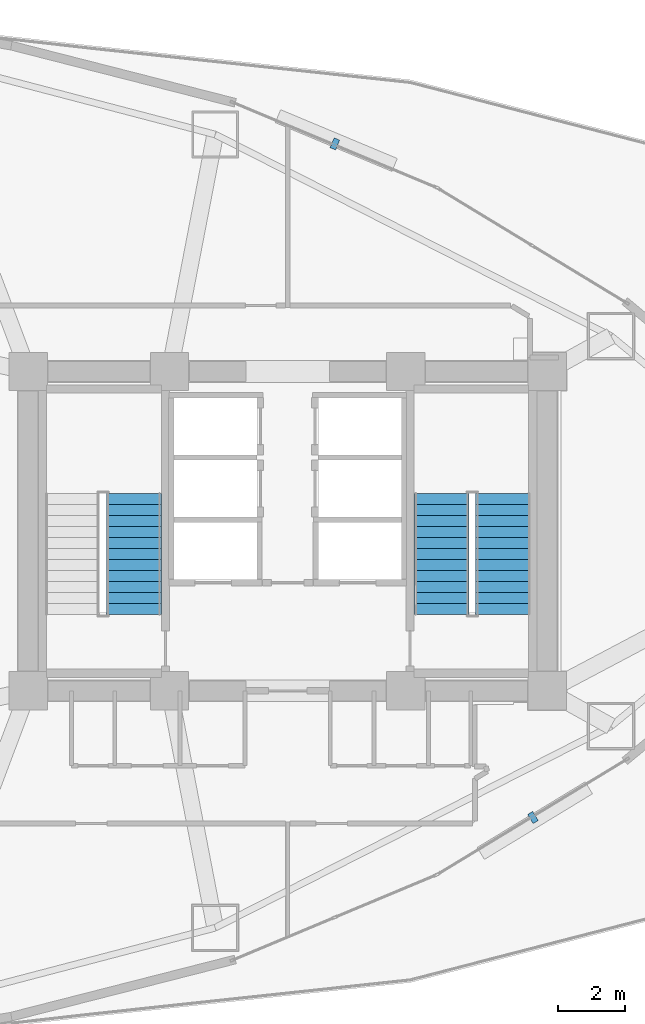
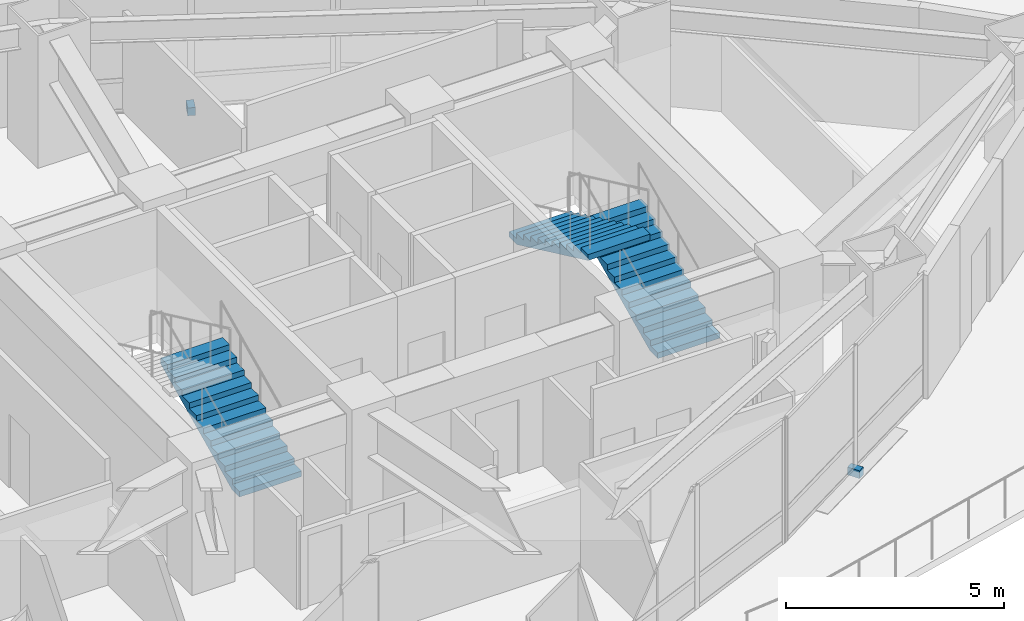
# One storey, part 16 of 19: 3 stair flights, 2 discrete accessories, 2 elements without a shape of their own.
"""IFC4 building model written with IfcOpenShell, lengths in metres."""

import ifcopenshell
import ifcopenshell.guid

model = None  # the IFC model being written
_history = None  # IfcOwnerHistory: only IFC2X3 demands one
_inside = {}  # id of a spatial element -> (the spatial element, [elements in it])
_under = {}  # id of a project, library or spatial element -> (it, [spatial elements below it])
_declared = {}  # id of a project -> (the project, [libraries it declares])
_typed = {}  # id of a type object -> (the type object, [elements of that type])
_made_of = {}  # id of a material, layer set ... -> (it, [elements and type objects made of it])


def new_model(schema):
    """Start an empty IFC model of exactly this schema.

    Asked for "IFC4X3", IfcOpenShell would pick the latest addendum, in which some entities
    have other attributes; the version numbers below select the first issue.
    IFC2X3 requires an IfcOwnerHistory on every rooted entity: one is made here for all.
    """
    global model, _history
    if schema == "IFC4X3":
        model = ifcopenshell.file(schema_version=(4, 3, 0, 0))
    else:
        model = ifcopenshell.file(schema=schema)
    _inside.clear()
    _under.clear()
    _declared.clear()
    _typed.clear()
    _made_of.clear()
    _history = None
    if model.schema == "IFC2X3":
        org = make("IfcOrganization", Name="unknown")
        user = make(
            "IfcPersonAndOrganization",
            ThePerson=make("IfcPerson", FamilyName="unknown"),
            TheOrganization=org,
        )
        app = make(
            "IfcApplication",
            ApplicationDeveloper=org,
            Version="unknown",
            ApplicationFullName="unknown",
            ApplicationIdentifier="unknown",
        )
        _history = make(
            "IfcOwnerHistory",
            OwningUser=user,
            OwningApplication=app,
            ChangeAction="ADDED",
            CreationDate=0,
        )
    return model


def make(cls, **values):
    """One entity of the class cls with the attributes given. An attribute that is None is left unset."""
    return model.create_entity(
        cls, **{name: value for name, value in values.items() if value is not None}
    )


def rooted(cls, **values):
    """An entity with a GlobalId (a new one), such as an element, a storey or a relation."""
    return make(cls, GlobalId=ifcopenshell.guid.new(), OwnerHistory=_history, **values)


def si_unit(unit_type, name, prefix=None):
    """IfcSIUnit, for example si_unit("LENGTHUNIT", "METRE", prefix="MILLI")."""
    return make("IfcSIUnit", UnitType=unit_type, Prefix=prefix, Name=name)


def assignment(units):
    """IfcUnitAssignment: the units of a project."""
    return None if units is None else make("IfcUnitAssignment", Units=units)


def point(xyz):
    """IfcCartesianPoint."""
    return None if xyz is None else make("IfcCartesianPoint", Coordinates=xyz)


def direction(xyz):
    """IfcDirection."""
    return None if xyz is None else make("IfcDirection", DirectionRatios=xyz)


def frame(location, z_axis=None, x_axis=None):
    """IfcAxis2Placement3D, a coordinate frame: its origin and axes. An axis left out is left unset."""
    return make(
        "IfcAxis2Placement3D",
        Location=point(location),
        Axis=direction(z_axis),
        RefDirection=direction(x_axis),
    )


def frame_2d(location, x_axis=None):
    """IfcAxis2Placement2D, a coordinate frame in the plane: its origin and x axis."""
    return make(
        "IfcAxis2Placement2D", Location=point(location), RefDirection=direction(x_axis)
    )


def origin():
    """The frame at (0, 0, 0) with its axes left unset."""
    return frame((0.0, 0.0, 0.0))


def origin_2d():
    """The frame at (0, 0) in the plane with its x axis left unset."""
    return frame_2d((0.0, 0.0))


def place(relative_to, where):
    """IfcLocalPlacement: puts the frame where relative to a parent placement (None: the world)."""
    return make(
        "IfcLocalPlacement", PlacementRelTo=relative_to, RelativePlacement=where
    )


def context(
    kind, dimensions, precision=None, world=None, true_north=None, identifier=None
):
    """IfcGeometricRepresentationContext, for example the 3D "Model" context."""
    return make(
        "IfcGeometricRepresentationContext",
        ContextIdentifier=identifier,
        ContextType=kind,
        CoordinateSpaceDimension=dimensions,
        Precision=precision,
        WorldCoordinateSystem=world,
        TrueNorth=true_north,
    )


def subcontext(parent, identifier, kind, view, scale=None):
    """IfcGeometricRepresentationSubContext, for example "Body" below "Model"."""
    return make(
        "IfcGeometricRepresentationSubContext",
        ContextIdentifier=identifier,
        ContextType=kind,
        ParentContext=parent,
        TargetScale=scale,
        TargetView=view,
    )


def project(units=None, contexts=None):
    """IfcProject with its units and contexts."""
    return rooted(
        "IfcProject",
        Name="project",
        RepresentationContexts=contexts,
        UnitsInContext=assignment(units),
    )


def spatial(cls, under=None, at=None, **own):
    """A site, building, storey or space (cls), placed at a placement, below another one or the project."""
    s = rooted(cls, ObjectPlacement=at, **own)
    if under is not None:
        _under.setdefault(under.id(), (under, []))[1].append(s)
    return s


def polyline(points):
    """IfcPolyline through the points."""
    return make("IfcPolyline", Points=[point(p) for p in points])


def profile(cls, at=None, kind="AREA", **sizes):
    """A parametric profile (cls). Its sizes go by their IFC names, for example OverallWidth=200.0."""
    return make(cls, ProfileType=kind, Position=at, **sizes)


def rectangle(**sizes):
    """IfcRectangleProfileDef."""
    return profile("IfcRectangleProfileDef", **sizes)


def outline(outer, holes=None, kind="AREA"):
    """IfcArbitraryClosedProfileDef: a profile drawn as a closed curve; with holes, ...WithVoids."""
    if holes is None:
        return make("IfcArbitraryClosedProfileDef", ProfileType=kind, OuterCurve=outer)
    return make(
        "IfcArbitraryProfileDefWithVoids",
        ProfileType=kind,
        OuterCurve=outer,
        InnerCurves=holes,
    )


def extrude(swept, where, along, depth):
    """IfcExtrudedAreaSolid: the profile swept, set in the frame where, extruded along a direction by depth."""
    return make(
        "IfcExtrudedAreaSolid",
        SweptArea=swept,
        Position=where,
        ExtrudedDirection=direction(along),
        Depth=depth,
    )


def shape(context_of_items, identifier, shape_type, items):
    """IfcShapeRepresentation: the items that make up one representation, for example the "Body"."""
    return make(
        "IfcShapeRepresentation",
        ContextOfItems=context_of_items,
        RepresentationIdentifier=identifier,
        RepresentationType=shape_type,
        Items=items,
    )


def material(Name=None, Category=None):
    """IfcMaterial."""
    return make("IfcMaterial", Name=Name, Category=Category)


def made_of(thing, what):
    """Note that an element or type object is made of a material, layer set ...; save() writes the relation."""
    if what is not None:
        _made_of.setdefault(what.id(), (what, []))[1].append(thing)
    return thing


def type_object(cls, material=None, **own):
    """A type object (cls), such as IfcWallType, which elements share."""
    return made_of(rooted(cls, **own), material)


def element(
    cls,
    number,
    at=None,
    inside=None,
    cuts=None,
    type_object=None,
    material=None,
    context=None,
    identifier="Body",
    shape_type=None,
    held_by="IfcProductDefinitionShape",
    body=None,
    shapes=None,
    **own,
):
    """One element of the class cls, such as IfcWall. Its Tag is "e" and its number.

    at: its placement. inside: the storey or other place that contains it. cuts: it is an
    opening in that element (IfcRelVoidsElement). A single representation is given by context,
    identifier, shape_type and body (its items); several are given by shapes. held_by: the class
    of the entity that holds the representations. save() writes the other relations.
    """
    e = rooted(cls, Tag="e%d" % number, ObjectPlacement=at, **own)
    if body is not None:
        shapes = [shape(context, identifier, shape_type, body)]
    if shapes is not None:
        e.Representation = make(held_by, Representations=shapes)
    if inside is not None:
        _inside.setdefault(inside.id(), (inside, []))[1].append(e)
    if cuts is not None:
        rooted(
            "IfcRelVoidsElement", RelatingBuildingElement=cuts, RelatedOpeningElement=e
        )
    if type_object is not None:
        _typed.setdefault(type_object.id(), (type_object, []))[1].append(e)
    return made_of(e, material)


def aggregate(whole, parts):
    """IfcRelAggregates: a whole, such as a stair, and the parts it consists of."""
    return rooted("IfcRelAggregates", RelatingObject=whole, RelatedObjects=parts)


def save(model, path):
    """Write the relations noted so far, then the file.

    IfcRelAggregates (storeys below a building ...), IfcRelContainedInSpatialStructure (elements
    in a storey), IfcRelDefinesByType, IfcRelAssociatesMaterial and IfcRelDeclares: one each for
    every whole, place, type object, material and project.
    """
    for whole, parts in _under.values():
        aggregate(whole, parts)
    for where, things in _inside.values():
        rooted(
            "IfcRelContainedInSpatialStructure",
            RelatedElements=things,
            RelatingStructure=where,
        )
    for kind, things in _typed.values():
        rooted("IfcRelDefinesByType", RelatedObjects=things, RelatingType=kind)
    for what, things in _made_of.values():
        rooted("IfcRelAssociatesMaterial", RelatedObjects=things, RelatingMaterial=what)
    for by, libraries in _declared.values():
        rooted("IfcRelDeclares", RelatingContext=by, RelatedDefinitions=libraries)
    model.write(path)


model = new_model("IFC4")

# Units and contexts
model_context = context("Model", 3, precision=1e-05, world=origin(), true_north=direction((0.0, 1.0)))
body_context = subcontext(model_context, "Body", "Model", "MODEL_VIEW")
ifc_project = project(units=[si_unit("LENGTHUNIT", "METRE"), si_unit("AREAUNIT", "SQUARE_METRE"), si_unit("VOLUMEUNIT", "CUBIC_METRE"), si_unit("PLANEANGLEUNIT", "RADIAN"), si_unit("MASSUNIT", "GRAM", prefix="KILO")], contexts=[model_context])

# Site, building, storey
site_placement = place(None, origin())
site = spatial("IfcSite", under=ifc_project, at=site_placement, CompositionType="ELEMENT")
building_placement = place(site_placement, origin())
building = spatial("IfcBuilding", under=site, at=building_placement, Name="Menara Vayukalpa", CompositionType="ELEMENT")
storey_placement = place(building_placement, frame((0.0, 0.0, 68.52001953125)))
storey = spatial("IfcBuildingStorey", under=building, at=storey_placement, Name="L16", CompositionType="ELEMENT", Elevation=68.52001953125)

# Stair, stair flight
ifc_material_1 = material(Name="Precast Concrete C40/50", Category="concrete")
stair_type = type_object("IfcStairType", Name="STR-T04", PredefinedType="DOUBLE_RETURN_STAIR", material=ifc_material_1)
stair_1_placement = place(storey_placement, origin())
stair_1 = element("IfcStair", 1, at=stair_1_placement, inside=storey, type_object=stair_type, Name="L16 Core Exit Stair ST-1", PredefinedType="DOUBLE_RETURN_STAIR")
ifc_material_2 = material(Name="Precast Concrete C40/50", Category="concrete")
stair_flight_type = type_object("IfcStairFlightType", Name="STF-T04", PredefinedType="STRAIGHT", material=ifc_material_2)
stair_flight_1_placement = place(storey_placement, frame((20.97509765625, 19.5, 0.0), z_axis=(0.0, 0.0, 1.0), x_axis=(0.0, 1.0, 0.0)))
stair_flight_1 = element("IfcStairFlight", 2, at=stair_flight_1_placement, type_object=stair_flight_type, Name="ST-1 flight 1", NumberOfRisers=12, NumberOfTreads=11, PredefinedType="STRAIGHT", RiserHeight=0.155, TreadLength=0.33, context=body_context, shape_type="SweptSolid", body=[
    extrude(outline(polyline([(0.0, 0.0), (0.0, 0.155029296875), (0.330078125, 0.155029296875), (0.330078125, 0.31005859375), (0.659912109375, 0.31005859375), (0.659912109375, 0.465087890625), (0.989990234375, 0.465087890625), (0.989990234375, 0.6201171875), (1.320068359375, 0.6201171875), (1.320068359375, 0.77490234375), (1.64990234375, 0.77490234375), (1.64990234375, 0.929931640625), (1.97998046875, 0.929931640625), (1.97998046875, 1.0849609375), (2.31005859375, 1.0849609375), (2.31005859375, 1.239990234375), (2.639892578125, 1.239990234375), (2.639892578125, 1.39501953125), (2.969970703125, 1.39501953125), (2.969970703125, 1.550048828125), (3.300048828125, 1.550048828125), (3.300048828125, 1.705078125), (3.6298828125, 1.705078125), (3.6298828125, 1.860107421875), (3.6298828125, 1.539306640625), (0.3525390625, 0.0), (0.0, 0.0)])), frame((0.0, 0.824951171875, 0.0), z_axis=(0.0, -1.0, 0.0), x_axis=(1.0, 0.0, 0.0)), (0.0, 0.0, 1.0), 1.64990234375),
])
aggregate(stair_1, [stair_flight_1])

# Stair, stair flights
stair_2_placement = place(storey_placement, origin())
stair_2 = element("IfcStair", 3, at=stair_2_placement, inside=storey, type_object=stair_type, Name="L16 Core Exit Stair ST-2", PredefinedType="DOUBLE_RETURN_STAIR")
stair_flight_2_placement = place(storey_placement, frame((32.074951171875, 19.5, 0.0), z_axis=(0.0, 0.0, 1.0), x_axis=(0.0, 1.0, 0.0)))
stair_flight_2 = element("IfcStairFlight", 4, at=stair_flight_2_placement, type_object=stair_flight_type, Name="ST-2 flight 1", NumberOfRisers=12, NumberOfTreads=11, PredefinedType="STRAIGHT", RiserHeight=0.155, TreadLength=0.33, context=body_context, shape_type="SweptSolid", body=[
    extrude(outline(polyline([(0.0, 0.0), (0.0, 0.155029296875), (0.330078125, 0.155029296875), (0.330078125, 0.31005859375), (0.659912109375, 0.31005859375), (0.659912109375, 0.465087890625), (0.989990234375, 0.465087890625), (0.989990234375, 0.6201171875), (1.320068359375, 0.6201171875), (1.320068359375, 0.77490234375), (1.64990234375, 0.77490234375), (1.64990234375, 0.929931640625), (1.97998046875, 0.929931640625), (1.97998046875, 1.0849609375), (2.31005859375, 1.0849609375), (2.31005859375, 1.239990234375), (2.639892578125, 1.239990234375), (2.639892578125, 1.39501953125), (2.969970703125, 1.39501953125), (2.969970703125, 1.550048828125), (3.300048828125, 1.550048828125), (3.300048828125, 1.705078125), (3.6298828125, 1.705078125), (3.6298828125, 1.860107421875), (3.6298828125, 1.539306640625), (0.3525390625, 0.0), (0.0, 0.0)])), frame((0.0, 0.824951171875, 0.0), z_axis=(0.0, -1.0, 0.0), x_axis=(1.0, 0.0, 0.0)), (0.0, 0.0, 1.0), 1.64990234375),
])
stair_flight_3_placement = place(storey_placement, frame((30.22509765625, 23.1298828125, 1.85986328125), z_axis=(0.0, 0.0, 1.0), x_axis=(0.0, -1.0, 0.0)))
stair_flight_3 = element("IfcStairFlight", 5, at=stair_flight_3_placement, type_object=stair_flight_type, Name="ST-2 flight 2", NumberOfRisers=12, NumberOfTreads=11, PredefinedType="STRAIGHT", RiserHeight=0.155, TreadLength=0.33, context=body_context, shape_type="SweptSolid", body=[
    extrude(outline(polyline([(0.0, 0.0), (0.0, 0.155029296875), (0.330078125, 0.155029296875), (0.330078125, 0.31005859375), (0.659912109375, 0.31005859375), (0.659912109375, 0.465087890625), (0.989990234375, 0.465087890625), (0.989990234375, 0.6201171875), (1.320068359375, 0.6201171875), (1.320068359375, 0.77490234375), (1.64990234375, 0.77490234375), (1.64990234375, 0.929931640625), (1.97998046875, 0.929931640625), (1.97998046875, 1.0849609375), (2.31005859375, 1.0849609375), (2.31005859375, 1.239990234375), (2.639892578125, 1.239990234375), (2.639892578125, 1.39501953125), (2.969970703125, 1.39501953125), (2.969970703125, 1.550048828125), (3.300048828125, 1.550048828125), (3.300048828125, 1.705078125), (3.6298828125, 1.705078125), (3.6298828125, 1.860107421875), (3.6298828125, 1.539306640625), (0.3525390625, 0.0), (0.0, 0.0)])), frame((0.0, 0.824951171875, 0.0), z_axis=(0.0, -1.0, 0.0), x_axis=(1.0, 0.0, 0.0)), (0.0, 0.0, 1.0), 1.64990234375),
])
aggregate(stair_2, [stair_flight_2, stair_flight_3])

# Discrete accessories
ifc_material_3 = material(Name="Stainless Steel 316 Sunshade Bracket", Category="steel")
discrete_accessory_type = type_object("IfcDiscreteAccessoryType", Name="ACC-BRK1", PredefinedType="BRACKET", material=ifc_material_3)
for number, where, z_axis, x_axis, name in (
    (6, (27.018310546875, 33.638916015625, -0.16015625), (0.0, 0.0, 1.0), (-0.922544824647, 0.385889940938, 0.0), "L16 Terracotta Sunshade Bracket 05"),
    (7, (32.9716796875, 13.39306640625, -0.16015625), (0.0, 0.0, 1.0), (0.85466730962, 0.519176068272, 0.0), "L16 Terracotta Sunshade Bracket 17"),
):
    element("IfcDiscreteAccessory", number, at=place(storey_placement, frame(where, z_axis=z_axis, x_axis=x_axis)), inside=storey, type_object=discrete_accessory_type, Name=name, PredefinedType="BRACKET", context=body_context, shape_type="SweptSolid", body=[
        extrude(rectangle(XDim=0.179931640625, YDim=0.320068359375, at=origin_2d()), origin(), (0.0, 0.0, 1.0), 0.219970703125),
    ])

save(model, "model.ifc")
